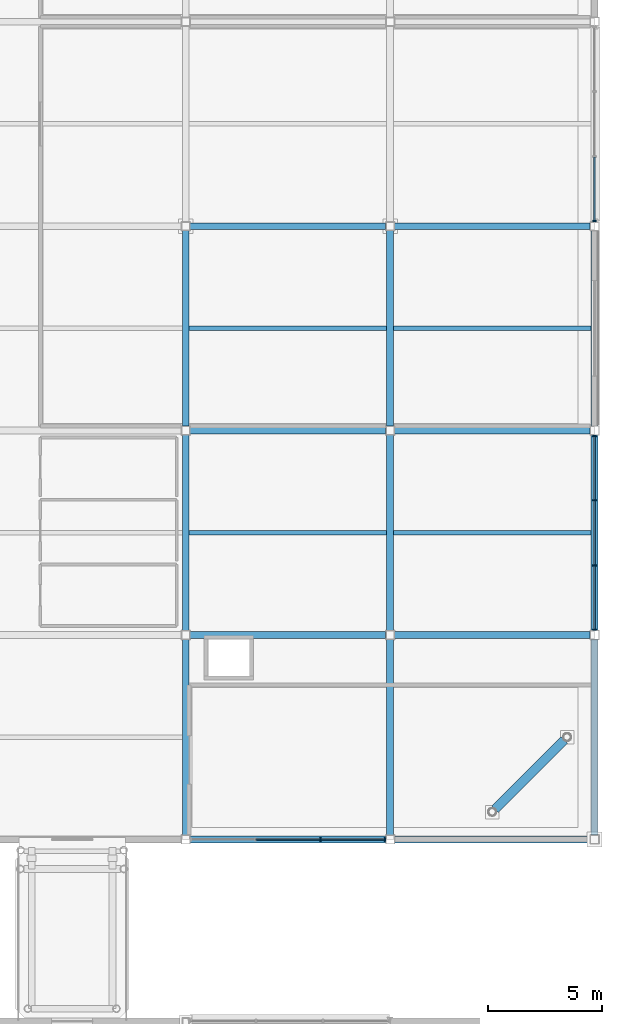
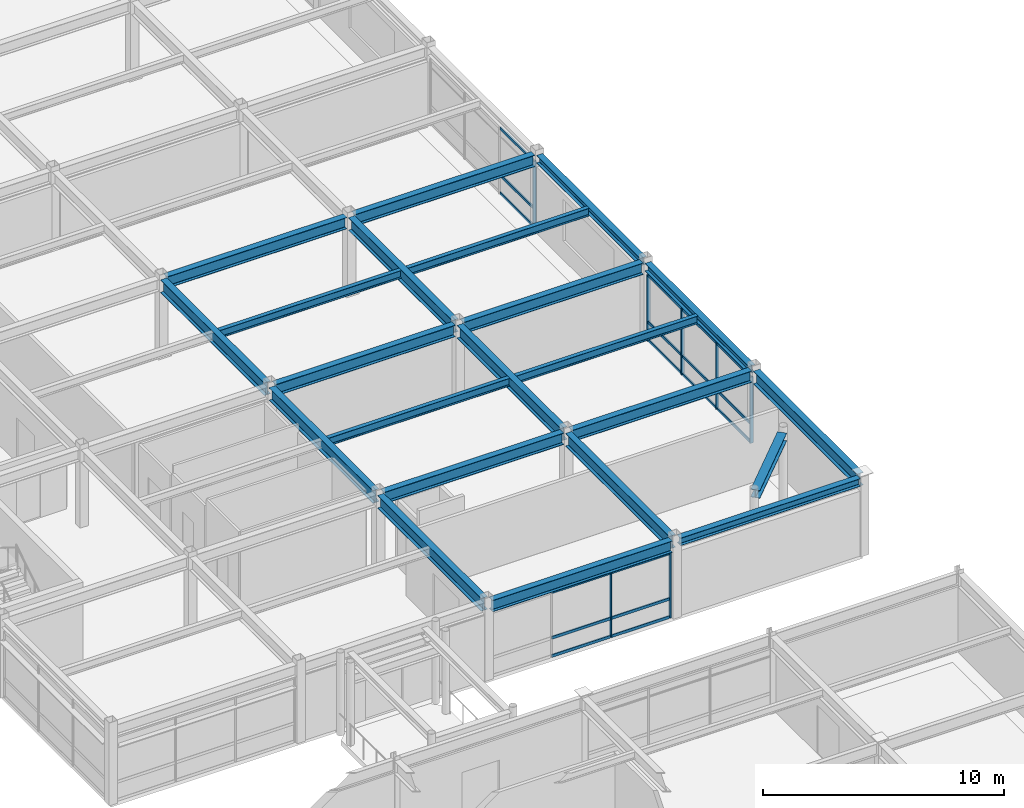
# One storey, part 37 of 70: 25 members, 22 beams, 3 elements without a shape of their own.
"""IFC4 building model written with IfcOpenShell, lengths in metres."""

import ifcopenshell
import ifcopenshell.guid

model = None  # the IFC model being written
_history = None  # IfcOwnerHistory: only IFC2X3 demands one
_inside = {}  # id of a spatial element -> (the spatial element, [elements in it])
_under = {}  # id of a project, library or spatial element -> (it, [spatial elements below it])
_declared = {}  # id of a project -> (the project, [libraries it declares])
_typed = {}  # id of a type object -> (the type object, [elements of that type])
_made_of = {}  # id of a material, layer set ... -> (it, [elements and type objects made of it])


def new_model(schema):
    """Start an empty IFC model of exactly this schema.

    Asked for "IFC4X3", IfcOpenShell would pick the latest addendum, in which some entities
    have other attributes; the version numbers below select the first issue.
    IFC2X3 requires an IfcOwnerHistory on every rooted entity: one is made here for all.
    """
    global model, _history
    if schema == "IFC4X3":
        model = ifcopenshell.file(schema_version=(4, 3, 0, 0))
    else:
        model = ifcopenshell.file(schema=schema)
    _inside.clear()
    _under.clear()
    _declared.clear()
    _typed.clear()
    _made_of.clear()
    _history = None
    if model.schema == "IFC2X3":
        org = make("IfcOrganization", Name="unknown")
        user = make(
            "IfcPersonAndOrganization",
            ThePerson=make("IfcPerson", FamilyName="unknown"),
            TheOrganization=org,
        )
        app = make(
            "IfcApplication",
            ApplicationDeveloper=org,
            Version="unknown",
            ApplicationFullName="unknown",
            ApplicationIdentifier="unknown",
        )
        _history = make(
            "IfcOwnerHistory",
            OwningUser=user,
            OwningApplication=app,
            ChangeAction="ADDED",
            CreationDate=0,
        )
    return model


def make(cls, **values):
    """One entity of the class cls with the attributes given. An attribute that is None is left unset."""
    return model.create_entity(
        cls, **{name: value for name, value in values.items() if value is not None}
    )


def rooted(cls, **values):
    """An entity with a GlobalId (a new one), such as an element, a storey or a relation."""
    return make(cls, GlobalId=ifcopenshell.guid.new(), OwnerHistory=_history, **values)


def si_unit(unit_type, name, prefix=None):
    """IfcSIUnit, for example si_unit("LENGTHUNIT", "METRE", prefix="MILLI")."""
    return make("IfcSIUnit", UnitType=unit_type, Prefix=prefix, Name=name)


def assignment(units):
    """IfcUnitAssignment: the units of a project."""
    return None if units is None else make("IfcUnitAssignment", Units=units)


def point(xyz):
    """IfcCartesianPoint."""
    return None if xyz is None else make("IfcCartesianPoint", Coordinates=xyz)


def direction(xyz):
    """IfcDirection."""
    return None if xyz is None else make("IfcDirection", DirectionRatios=xyz)


def frame(location, z_axis=None, x_axis=None):
    """IfcAxis2Placement3D, a coordinate frame: its origin and axes. An axis left out is left unset."""
    return make(
        "IfcAxis2Placement3D",
        Location=point(location),
        Axis=direction(z_axis),
        RefDirection=direction(x_axis),
    )


def frame_2d(location, x_axis=None):
    """IfcAxis2Placement2D, a coordinate frame in the plane: its origin and x axis."""
    return make(
        "IfcAxis2Placement2D", Location=point(location), RefDirection=direction(x_axis)
    )


def origin():
    """The frame at (0, 0, 0) with its axes left unset."""
    return frame((0.0, 0.0, 0.0))


def origin_2d():
    """The frame at (0, 0) in the plane with its x axis left unset."""
    return frame_2d((0.0, 0.0))


def place(relative_to, where):
    """IfcLocalPlacement: puts the frame where relative to a parent placement (None: the world)."""
    return make(
        "IfcLocalPlacement", PlacementRelTo=relative_to, RelativePlacement=where
    )


def context(
    kind, dimensions, precision=None, world=None, true_north=None, identifier=None
):
    """IfcGeometricRepresentationContext, for example the 3D "Model" context."""
    return make(
        "IfcGeometricRepresentationContext",
        ContextIdentifier=identifier,
        ContextType=kind,
        CoordinateSpaceDimension=dimensions,
        Precision=precision,
        WorldCoordinateSystem=world,
        TrueNorth=true_north,
    )


def subcontext(parent, identifier, kind, view, scale=None):
    """IfcGeometricRepresentationSubContext, for example "Body" below "Model"."""
    return make(
        "IfcGeometricRepresentationSubContext",
        ContextIdentifier=identifier,
        ContextType=kind,
        ParentContext=parent,
        TargetScale=scale,
        TargetView=view,
    )


def project(units=None, contexts=None):
    """IfcProject with its units and contexts."""
    return rooted(
        "IfcProject",
        Name="project",
        RepresentationContexts=contexts,
        UnitsInContext=assignment(units),
    )


def spatial(cls, under=None, at=None, **own):
    """A site, building, storey or space (cls), placed at a placement, below another one or the project."""
    s = rooted(cls, ObjectPlacement=at, **own)
    if under is not None:
        _under.setdefault(under.id(), (under, []))[1].append(s)
    return s


def profile(cls, at=None, kind="AREA", **sizes):
    """A parametric profile (cls). Its sizes go by their IFC names, for example OverallWidth=200.0."""
    return make(cls, ProfileType=kind, Position=at, **sizes)


def rectangle(**sizes):
    """IfcRectangleProfileDef."""
    return profile("IfcRectangleProfileDef", **sizes)


def i_section(**sizes):
    """IfcIShapeProfileDef."""
    return profile("IfcIShapeProfileDef", **sizes)


def extrude(swept, where, along, depth):
    """IfcExtrudedAreaSolid: the profile swept, set in the frame where, extruded along a direction by depth."""
    return make(
        "IfcExtrudedAreaSolid",
        SweptArea=swept,
        Position=where,
        ExtrudedDirection=direction(along),
        Depth=depth,
    )


def shape(context_of_items, identifier, shape_type, items):
    """IfcShapeRepresentation: the items that make up one representation, for example the "Body"."""
    return make(
        "IfcShapeRepresentation",
        ContextOfItems=context_of_items,
        RepresentationIdentifier=identifier,
        RepresentationType=shape_type,
        Items=items,
    )


def material(Name=None, Category=None):
    """IfcMaterial."""
    return make("IfcMaterial", Name=Name, Category=Category)


def material_profile(
    of_material, cross_section, Name=None, Category=None, Priority=None
):
    """IfcMaterialProfile: a cross section and its material."""
    return make(
        "IfcMaterialProfile",
        Name=Name,
        Material=of_material,
        Profile=cross_section,
        Priority=Priority,
        Category=Category,
    )


def profile_set(profiles, Name=None, composite=None):
    """IfcMaterialProfileSet."""
    return make(
        "IfcMaterialProfileSet",
        Name=Name,
        MaterialProfiles=profiles,
        CompositeProfile=composite,
    )


def made_of(thing, what):
    """Note that an element or type object is made of a material, layer set ...; save() writes the relation."""
    if what is not None:
        _made_of.setdefault(what.id(), (what, []))[1].append(thing)
    return thing


def type_object(cls, material=None, **own):
    """A type object (cls), such as IfcWallType, which elements share."""
    return made_of(rooted(cls, **own), material)


def element(
    cls,
    number,
    at=None,
    inside=None,
    cuts=None,
    type_object=None,
    material=None,
    context=None,
    identifier="Body",
    shape_type=None,
    held_by="IfcProductDefinitionShape",
    body=None,
    shapes=None,
    **own,
):
    """One element of the class cls, such as IfcWall. Its Tag is "e" and its number.

    at: its placement. inside: the storey or other place that contains it. cuts: it is an
    opening in that element (IfcRelVoidsElement). A single representation is given by context,
    identifier, shape_type and body (its items); several are given by shapes. held_by: the class
    of the entity that holds the representations. save() writes the other relations.
    """
    e = rooted(cls, Tag="e%d" % number, ObjectPlacement=at, **own)
    if body is not None:
        shapes = [shape(context, identifier, shape_type, body)]
    if shapes is not None:
        e.Representation = make(held_by, Representations=shapes)
    if inside is not None:
        _inside.setdefault(inside.id(), (inside, []))[1].append(e)
    if cuts is not None:
        rooted(
            "IfcRelVoidsElement", RelatingBuildingElement=cuts, RelatedOpeningElement=e
        )
    if type_object is not None:
        _typed.setdefault(type_object.id(), (type_object, []))[1].append(e)
    return made_of(e, material)


def aggregate(whole, parts):
    """IfcRelAggregates: a whole, such as a stair, and the parts it consists of."""
    return rooted("IfcRelAggregates", RelatingObject=whole, RelatedObjects=parts)


def save(model, path):
    """Write the relations noted so far, then the file.

    IfcRelAggregates (storeys below a building ...), IfcRelContainedInSpatialStructure (elements
    in a storey), IfcRelDefinesByType, IfcRelAssociatesMaterial and IfcRelDeclares: one each for
    every whole, place, type object, material and project.
    """
    for whole, parts in _under.values():
        aggregate(whole, parts)
    for where, things in _inside.values():
        rooted(
            "IfcRelContainedInSpatialStructure",
            RelatedElements=things,
            RelatingStructure=where,
        )
    for kind, things in _typed.values():
        rooted("IfcRelDefinesByType", RelatedObjects=things, RelatingType=kind)
    for what, things in _made_of.values():
        rooted("IfcRelAssociatesMaterial", RelatedObjects=things, RelatingMaterial=what)
    for by, libraries in _declared.values():
        rooted("IfcRelDeclares", RelatingContext=by, RelatedDefinitions=libraries)
    model.write(path)


model = new_model("IFC4")

# Units and contexts
model_context = context("Model", 3, precision=1e-05, world=origin(), true_north=direction((0.0, 1.0)))
body_context = subcontext(model_context, "Body", "Model", "MODEL_VIEW")
ifc_project = project(units=[si_unit("LENGTHUNIT", "METRE"), si_unit("AREAUNIT", "SQUARE_METRE"), si_unit("VOLUMEUNIT", "CUBIC_METRE"), si_unit("PLANEANGLEUNIT", "RADIAN"), si_unit("MASSUNIT", "GRAM", prefix="KILO")], contexts=[model_context])

# Site, building, storey
site_placement = place(None, origin())
site = spatial("IfcSite", under=ifc_project, at=site_placement, CompositionType="ELEMENT")
building_placement = place(site_placement, origin())
building = spatial("IfcBuilding", under=site, at=building_placement, Name="Suzunagisa Mobility Hub", CompositionType="ELEMENT")
storey_placement = place(building_placement, frame((0.0, 0.0, 13.5)))
storey = spatial("IfcBuildingStorey", under=building, at=storey_placement, Name="L03", CompositionType="ELEMENT", Elevation=13.5)

# Curtain wall, members
ifc_material_1 = material(Name="Thermally Broken Anodized Aluminum and Low-E Glazing", Category="aluminium")
curtain_wall_type_1 = type_object("IfcCurtainWallType", Name="Unitised Curtain Wall CW-43 8500x3300", PredefinedType="USERDEFINED", material=ifc_material_1)
curtain_wall_1_placement = place(storey_placement, origin())
curtain_wall_1 = element("IfcCurtainWall", 1, at=curtain_wall_1_placement, inside=storey, type_object=curtain_wall_type_1, Name="L03 Unitised Curtain Wall CW-205", ObjectType="UNITISED CURTAIN WALL", PredefinedType="USERDEFINED")
ifc_material_2 = material(Name="Anodized Aluminum 6063-T6", Category="aluminium")
ifc_material_profile_1 = material_profile(ifc_material_2, rectangle(XDim=0.06494140625, YDim=0.139892578125, at=origin_2d()), Name="TRAN-65x140")
ifc_profile_set_1 = profile_set([ifc_material_profile_1], Name="Anodized Aluminum 6063-T6")
member_type_1 = type_object("IfcMemberType", Name="Curtain Wall Framing CM-01 TRAN-65x140", PredefinedType="USERDEFINED", material=ifc_profile_set_1)
member_1_placement = place(storey_placement, frame((165.0947265625, 44.0, 0.032470703125), z_axis=(1.0, 0.0, 0.0), x_axis=(0.0, 1.0, 0.0)))
member_1 = element("IfcMember", 2, at=member_1_placement, type_object=member_type_1, Name="Curtain Wall Transom 205-T2.1", ObjectType="TRANSOM", PredefinedType="USERDEFINED", context=body_context, shape_type="SweptSolid", body=[
    extrude(rectangle(XDim=0.06494140625, YDim=0.139892578125, at=origin_2d()), origin(), (0.0, 0.0, 1.0), 2.810546875),
])
member_2_placement = place(storey_placement, frame((165.0947265625, 44.0, 0.949951171875), z_axis=(1.0, 0.0, 0.0), x_axis=(0.0, 1.0, 0.0)))
member_2 = element("IfcMember", 3, at=member_2_placement, type_object=member_type_1, Name="Curtain Wall Transom 205-T2.2", ObjectType="TRANSOM", PredefinedType="USERDEFINED", context=body_context, shape_type="SweptSolid", body=[
    extrude(rectangle(XDim=0.06494140625, YDim=0.139892578125, at=origin_2d()), origin(), (0.0, 0.0, 1.0), 2.810546875),
])
member_3_placement = place(storey_placement, frame((165.0947265625, 44.0, 3.257568359375), z_axis=(1.0, 0.0, 0.0), x_axis=(0.0, 1.0, 0.0)))
member_3 = element("IfcMember", 4, at=member_3_placement, type_object=member_type_1, Name="Curtain Wall Transom 205-T2.3", ObjectType="TRANSOM", PredefinedType="USERDEFINED", context=body_context, shape_type="SweptSolid", body=[
    extrude(rectangle(XDim=0.06494140625, YDim=0.139892578125, at=origin_2d()), origin(), (0.0, 0.0, 1.0), 2.810546875),
])
member_4_placement = place(storey_placement, frame((167.961181640625, 44.0, 0.032470703125), z_axis=(1.0, 0.0, 0.0), x_axis=(0.0, 1.0, 0.0)))
member_4 = element("IfcMember", 5, at=member_4_placement, type_object=member_type_1, Name="Curtain Wall Transom 205-T3.1", ObjectType="TRANSOM", PredefinedType="USERDEFINED", context=body_context, shape_type="SweptSolid", body=[
    extrude(rectangle(XDim=0.06494140625, YDim=0.139892578125, at=origin_2d()), origin(), (0.0, 0.0, 1.0), 2.78076171875),
])
member_5_placement = place(storey_placement, frame((167.961181640625, 44.0, 0.949951171875), z_axis=(1.0, 0.0, 0.0), x_axis=(0.0, 1.0, 0.0)))
member_5 = element("IfcMember", 6, at=member_5_placement, type_object=member_type_1, Name="Curtain Wall Transom 205-T3.2", ObjectType="TRANSOM", PredefinedType="USERDEFINED", context=body_context, shape_type="SweptSolid", body=[
    extrude(rectangle(XDim=0.06494140625, YDim=0.139892578125, at=origin_2d()), origin(), (0.0, 0.0, 1.0), 2.78076171875),
])
member_6_placement = place(storey_placement, frame((167.961181640625, 44.0, 3.257568359375), z_axis=(1.0, 0.0, 0.0), x_axis=(0.0, 1.0, 0.0)))
member_6 = element("IfcMember", 7, at=member_6_placement, type_object=member_type_1, Name="Curtain Wall Transom 205-T3.3", ObjectType="TRANSOM", PredefinedType="USERDEFINED", context=body_context, shape_type="SweptSolid", body=[
    extrude(rectangle(XDim=0.06494140625, YDim=0.139892578125, at=origin_2d()), origin(), (0.0, 0.0, 1.0), 2.78076171875),
])

curtain_wall_type_2 = type_object("IfcCurtainWallType", Name="Unitised Curtain Wall CW-29 8500x3400", PredefinedType="USERDEFINED", material=ifc_material_1)
curtain_wall_2_placement = place(storey_placement, origin())
curtain_wall_2 = element("IfcCurtainWall", 8, at=curtain_wall_2_placement, inside=storey, type_object=curtain_wall_type_2, Name="L03 Unitised Curtain Wall CW-206", ObjectType="UNITISED CURTAIN WALL", PredefinedType="USERDEFINED")
member_7_placement = place(storey_placement, frame((180.0, 53.258056640625, 0.032470703125), z_axis=(0.0, 1.0, 0.0), x_axis=(-1.0, 0.0, 0.0)))
member_7 = element("IfcMember", 9, at=member_7_placement, type_object=member_type_1, Name="Curtain Wall Transom 206-T1.1", ObjectType="TRANSOM", PredefinedType="USERDEFINED", context=body_context, shape_type="SweptSolid", body=[
    extrude(rectangle(XDim=0.06494140625, YDim=0.139892578125, at=origin_2d()), origin(), (0.0, 0.0, 1.0), 2.78076171875),
])
member_8_placement = place(storey_placement, frame((180.0, 53.258056640625, 0.949951171875), z_axis=(0.0, 1.0, 0.0), x_axis=(-1.0, 0.0, 0.0)))
member_8 = element("IfcMember", 10, at=member_8_placement, type_object=member_type_1, Name="Curtain Wall Transom 206-T1.2", ObjectType="TRANSOM", PredefinedType="USERDEFINED", context=body_context, shape_type="SweptSolid", body=[
    extrude(rectangle(XDim=0.06494140625, YDim=0.139892578125, at=origin_2d()), origin(), (0.0, 0.0, 1.0), 2.78076171875),
])
member_9_placement = place(storey_placement, frame((180.0, 53.258056640625, 3.319580078125), z_axis=(0.0, 1.0, 0.0), x_axis=(-1.0, 0.0, 0.0)))
member_9 = element("IfcMember", 11, at=member_9_placement, type_object=member_type_1, Name="Curtain Wall Transom 206-T1.3", ObjectType="TRANSOM", PredefinedType="USERDEFINED", context=body_context, shape_type="SweptSolid", body=[
    extrude(rectangle(XDim=0.06494140625, YDim=0.139892578125, at=origin_2d()), origin(), (0.0, 0.0, 1.0), 2.78076171875),
])
member_10_placement = place(storey_placement, frame((180.0, 56.0947265625, 0.032470703125), z_axis=(0.0, 1.0, 0.0), x_axis=(-1.0, 0.0, 0.0)))
member_10 = element("IfcMember", 12, at=member_10_placement, type_object=member_type_1, Name="Curtain Wall Transom 206-T2.1", ObjectType="TRANSOM", PredefinedType="USERDEFINED", context=body_context, shape_type="SweptSolid", body=[
    extrude(rectangle(XDim=0.06494140625, YDim=0.139892578125, at=origin_2d()), origin(), (0.0, 0.0, 1.0), 2.810546875),
])
member_11_placement = place(storey_placement, frame((180.0, 56.0947265625, 0.949951171875), z_axis=(0.0, 1.0, 0.0), x_axis=(-1.0, 0.0, 0.0)))
member_11 = element("IfcMember", 13, at=member_11_placement, type_object=member_type_1, Name="Curtain Wall Transom 206-T2.2", ObjectType="TRANSOM", PredefinedType="USERDEFINED", context=body_context, shape_type="SweptSolid", body=[
    extrude(rectangle(XDim=0.06494140625, YDim=0.139892578125, at=origin_2d()), origin(), (0.0, 0.0, 1.0), 2.810546875),
])
member_12_placement = place(storey_placement, frame((180.0, 56.0947265625, 3.319580078125), z_axis=(0.0, 1.0, 0.0), x_axis=(-1.0, 0.0, 0.0)))
member_12 = element("IfcMember", 14, at=member_12_placement, type_object=member_type_1, Name="Curtain Wall Transom 206-T2.3", ObjectType="TRANSOM", PredefinedType="USERDEFINED", context=body_context, shape_type="SweptSolid", body=[
    extrude(rectangle(XDim=0.06494140625, YDim=0.139892578125, at=origin_2d()), origin(), (0.0, 0.0, 1.0), 2.810546875),
])
member_13_placement = place(storey_placement, frame((180.0, 58.961181640625, 0.032470703125), z_axis=(0.0, 1.0, 0.0), x_axis=(-1.0, 0.0, 0.0)))
member_13 = element("IfcMember", 15, at=member_13_placement, type_object=member_type_1, Name="Curtain Wall Transom 206-T3.1", ObjectType="TRANSOM", PredefinedType="USERDEFINED", context=body_context, shape_type="SweptSolid", body=[
    extrude(rectangle(XDim=0.06494140625, YDim=0.139892578125, at=origin_2d()), origin(), (0.0, 0.0, 1.0), 2.78076171875),
])
member_14_placement = place(storey_placement, frame((180.0, 58.961181640625, 0.949951171875), z_axis=(0.0, 1.0, 0.0), x_axis=(-1.0, 0.0, 0.0)))
member_14 = element("IfcMember", 16, at=member_14_placement, type_object=member_type_1, Name="Curtain Wall Transom 206-T3.2", ObjectType="TRANSOM", PredefinedType="USERDEFINED", context=body_context, shape_type="SweptSolid", body=[
    extrude(rectangle(XDim=0.06494140625, YDim=0.139892578125, at=origin_2d()), origin(), (0.0, 0.0, 1.0), 2.78076171875),
])
member_15_placement = place(storey_placement, frame((180.0, 58.961181640625, 3.319580078125), z_axis=(0.0, 1.0, 0.0), x_axis=(-1.0, 0.0, 0.0)))
member_15 = element("IfcMember", 17, at=member_15_placement, type_object=member_type_1, Name="Curtain Wall Transom 206-T3.3", ObjectType="TRANSOM", PredefinedType="USERDEFINED", context=body_context, shape_type="SweptSolid", body=[
    extrude(rectangle(XDim=0.06494140625, YDim=0.139892578125, at=origin_2d()), origin(), (0.0, 0.0, 1.0), 2.78076171875),
])

curtain_wall_3_placement = place(storey_placement, origin())
curtain_wall_3 = element("IfcCurtainWall", 18, at=curtain_wall_3_placement, inside=storey, type_object=curtain_wall_type_2, Name="L03 Unitised Curtain Wall CW-207", ObjectType="UNITISED CURTAIN WALL", PredefinedType="USERDEFINED")
member_16_placement = place(storey_placement, frame((180.0, 71.258056640625, 0.032470703125), z_axis=(0.0, 1.0, 0.0), x_axis=(-1.0, 0.0, 0.0)))
member_16 = element("IfcMember", 19, at=member_16_placement, type_object=member_type_1, Name="Curtain Wall Transom 207-T1.1", ObjectType="TRANSOM", PredefinedType="USERDEFINED", context=body_context, shape_type="SweptSolid", body=[
    extrude(rectangle(XDim=0.06494140625, YDim=0.139892578125, at=origin_2d()), origin(), (0.0, 0.0, 1.0), 2.78076171875),
])
member_17_placement = place(storey_placement, frame((180.0, 71.258056640625, 0.949951171875), z_axis=(0.0, 1.0, 0.0), x_axis=(-1.0, 0.0, 0.0)))
member_17 = element("IfcMember", 20, at=member_17_placement, type_object=member_type_1, Name="Curtain Wall Transom 207-T1.2", ObjectType="TRANSOM", PredefinedType="USERDEFINED", context=body_context, shape_type="SweptSolid", body=[
    extrude(rectangle(XDim=0.06494140625, YDim=0.139892578125, at=origin_2d()), origin(), (0.0, 0.0, 1.0), 2.78076171875),
])
member_18_placement = place(storey_placement, frame((180.0, 71.258056640625, 3.32958984375), z_axis=(0.0, 1.0, 0.0), x_axis=(-1.0, 0.0, 0.0)))
member_18 = element("IfcMember", 21, at=member_18_placement, type_object=member_type_1, Name="Curtain Wall Transom 207-T1.3", ObjectType="TRANSOM", PredefinedType="USERDEFINED", context=body_context, shape_type="SweptSolid", body=[
    extrude(rectangle(XDim=0.06494140625, YDim=0.139892578125, at=origin_2d()), origin(), (0.0, 0.0, 1.0), 2.78076171875),
])

# Member
ifc_material_profile_2 = material_profile(ifc_material_2, rectangle(XDim=0.06005859375, YDim=0.14990234375, at=origin_2d()), Name="MULL-60x150")
ifc_profile_set_2 = profile_set([ifc_material_profile_2], Name="Anodized Aluminum 6063-T6")
member_type_2 = type_object("IfcMemberType", Name="Curtain Wall Framing CM-03 MULL-60x150", PredefinedType="MULLION", material=ifc_profile_set_2)
member_19_placement = place(storey_placement, frame((167.933349609375, 44.0, 0.0), z_axis=(0.0, 0.0, 1.0), x_axis=(1.0, 0.0, 0.0)))
member_19 = element("IfcMember", 22, at=member_19_placement, type_object=member_type_2, Name="Curtain Wall Mullion 205-M3", PredefinedType="MULLION", context=body_context, shape_type="SweptSolid", body=[
    extrude(rectangle(XDim=0.06005859375, YDim=0.14990234375, at=origin_2d()), origin(), (0.0, 0.0, 1.0), 3.2900390625),
])

member_20_placement = place(storey_placement, frame((170.77001953125, 44.0, 0.0), z_axis=(0.0, 0.0, 1.0), x_axis=(1.0, 0.0, 0.0)))
member_20 = element("IfcMember", 23, at=member_20_placement, type_object=member_type_2, Name="Curtain Wall Mullion 205-M4", PredefinedType="MULLION", context=body_context, shape_type="SweptSolid", body=[
    extrude(rectangle(XDim=0.06005859375, YDim=0.14990234375, at=origin_2d()), origin(), (0.0, 0.0, 1.0), 3.2900390625),
])

aggregate(curtain_wall_1, [member_19, member_20, member_1, member_2, member_3, member_4, member_5, member_6])

member_21_placement = place(storey_placement, frame((180.0, 53.22998046875, 0.0), z_axis=(0.0, 0.0, 1.0), x_axis=(0.0, 1.0, 0.0)))
member_21 = element("IfcMember", 24, at=member_21_placement, type_object=member_type_2, Name="Curtain Wall Mullion 206-M1", PredefinedType="MULLION", context=body_context, shape_type="SweptSolid", body=[
    extrude(rectangle(XDim=0.06005859375, YDim=0.14990234375, at=origin_2d()), origin(), (0.0, 0.0, 1.0), 3.35205078125),
])

member_22_placement = place(storey_placement, frame((180.0, 56.066650390625, 0.0), z_axis=(0.0, 0.0, 1.0), x_axis=(0.0, 1.0, 0.0)))
member_22 = element("IfcMember", 25, at=member_22_placement, type_object=member_type_2, Name="Curtain Wall Mullion 206-M2", PredefinedType="MULLION", context=body_context, shape_type="SweptSolid", body=[
    extrude(rectangle(XDim=0.06005859375, YDim=0.14990234375, at=origin_2d()), origin(), (0.0, 0.0, 1.0), 3.35205078125),
])

member_23_placement = place(storey_placement, frame((180.0, 58.933349609375, 0.0), z_axis=(0.0, 0.0, 1.0), x_axis=(0.0, 1.0, 0.0)))
member_23 = element("IfcMember", 26, at=member_23_placement, type_object=member_type_2, Name="Curtain Wall Mullion 206-M3", PredefinedType="MULLION", context=body_context, shape_type="SweptSolid", body=[
    extrude(rectangle(XDim=0.06005859375, YDim=0.14990234375, at=origin_2d()), origin(), (0.0, 0.0, 1.0), 3.35205078125),
])

member_24_placement = place(storey_placement, frame((180.0, 61.77001953125, 0.0), z_axis=(0.0, 0.0, 1.0), x_axis=(0.0, 1.0, 0.0)))
member_24 = element("IfcMember", 27, at=member_24_placement, type_object=member_type_2, Name="Curtain Wall Mullion 206-M4", PredefinedType="MULLION", context=body_context, shape_type="SweptSolid", body=[
    extrude(rectangle(XDim=0.06005859375, YDim=0.14990234375, at=origin_2d()), origin(), (0.0, 0.0, 1.0), 3.35205078125),
])

aggregate(curtain_wall_2, [member_21, member_22, member_23, member_24, member_7, member_8, member_9, member_10, member_11, member_12, member_13, member_14, member_15])

member_25_placement = place(storey_placement, frame((180.0, 71.22998046875, 0.0), z_axis=(0.0, 0.0, 1.0), x_axis=(0.0, 1.0, 0.0)))
member_25 = element("IfcMember", 28, at=member_25_placement, type_object=member_type_2, Name="Curtain Wall Mullion 207-M1", PredefinedType="MULLION", context=body_context, shape_type="SweptSolid", body=[
    extrude(rectangle(XDim=0.06005859375, YDim=0.14990234375, at=origin_2d()), origin(), (0.0, 0.0, 1.0), 3.362060546875),
])

aggregate(curtain_wall_3, [member_25, member_16, member_17, member_18])

# Beams
ifc_material_3 = material(Name="Steel SN490B", Category="steel")
ifc_material_profile_3 = material_profile(ifc_material_3, i_section(OverallWidth=0.300048828125, OverallDepth=0.64990234375, WebThickness=0.012939453125, FlangeThickness=0.02197265625, FilletRadius=0.01611328125, at=origin_2d()), Name="H-650x300x13x22")
ifc_profile_set_3 = profile_set([ifc_material_profile_3], Name="Steel SN490B")
beam_type_1 = type_object("IfcBeamType", Name="Steel Beam BM-10 H-650x300x13x22", PredefinedType="BEAM", material=ifc_profile_set_3)
for number, where, z_axis, x_axis, name in (
    (29, (162.0, 44.196044921875, 3.625), (0.0, 1.0, 0.0), (-1.0, 0.0, 0.0), "L03 Primary Girder GY-2001"),
    (30, (162.0, 53.196044921875, 3.625), (0.0, 1.0, 0.0), (-1.0, 0.0, 0.0), "L03 Primary Girder GY-2002"),
    (31, (162.0, 62.196044921875, 3.625), (0.0, 1.0, 0.0), (-1.0, 0.0, 0.0), "L03 Primary Girder GY-2003"),
    (32, (171.0, 44.196044921875, 3.614990234375), (0.0, 1.0, 0.0), (-1.0, 0.0, 0.0), "L03 Primary Girder GY-2007"),
    (33, (171.0, 53.196044921875, 3.625), (0.0, 1.0, 0.0), (-1.0, 0.0, 0.0), "L03 Primary Girder GY-2008"),
    (34, (171.0, 62.196044921875, 3.625), (0.0, 1.0, 0.0), (-1.0, 0.0, 0.0), "L03 Primary Girder GY-2009"),
    (35, (180.0, 44.196044921875, 3.614990234375), (0.0, 1.0, 0.0), (-1.0, 0.0, 0.0), "L03 Primary Girder GY-2039"),
):
    element("IfcBeam", number, at=place(storey_placement, frame(where, z_axis=z_axis, x_axis=x_axis)), inside=storey, type_object=beam_type_1, Name=name, PredefinedType="BEAM", context=body_context, shape_type="SweptSolid", body=[
        extrude(i_section(OverallWidth=0.300048828125, OverallDepth=0.64990234375, WebThickness=0.012939453125, FlangeThickness=0.02197265625, FilletRadius=0.01611328125, at=origin_2d()), origin(), (0.0, 0.0, 1.0), 8.60791015625),
    ])
ifc_material_profile_4 = material_profile(ifc_material_3, i_section(OverallWidth=0.39990234375, OverallDepth=0.39990234375, WebThickness=0.012939453125, FlangeThickness=0.02099609375, FilletRadius=0.01611328125, at=origin_2d()), Name="H-400x400x13x21")
ifc_profile_set_4 = profile_set([ifc_material_profile_4], Name="Steel SN490B")
beam_type_2 = type_object("IfcBeamType", Name="Steel Beam BM-12 H-400x400x13x21", PredefinedType="SPANDREL", material=ifc_profile_set_4)
beam_placement = place(storey_placement, frame((175.625732421875, 45.33154296875, 3.739990234375), z_axis=(0.707106781187, 0.707106781187, 0.0), x_axis=(-0.707106781187, 0.707106781187, 0.0)))
element("IfcBeam", 36, at=beam_placement, inside=storey, type_object=beam_type_2, Name="L03 Streamline Prow Spandrel 2018", PredefinedType="SPANDREL", context=body_context, shape_type="SweptSolid", body=[
    extrude(i_section(OverallWidth=0.39990234375, OverallDepth=0.39990234375, WebThickness=0.012939453125, FlangeThickness=0.02099609375, FilletRadius=0.01611328125, at=origin_2d()), origin(), (0.0, 0.0, 1.0), 4.302978515625),
])
ifc_material_profile_5 = material_profile(ifc_material_3, i_section(OverallWidth=0.300048828125, OverallDepth=0.389892578125, WebThickness=0.010009765625, FlangeThickness=0.01611328125, FilletRadius=0.012939453125, at=origin_2d()), Name="H-390x300x10x16")
ifc_profile_set_5 = profile_set([ifc_material_profile_5], Name="Steel SN490B")
beam_type_3 = type_object("IfcBeamType", Name="Steel Beam BM-13 H-390x300x10x16", PredefinedType="SPANDREL", material=ifc_profile_set_5)
for number, where, z_axis, x_axis, name in (
    (37, (180.0, 53.196044921875, 3.7451171875), (0.0, 1.0, 0.0), (-1.0, 0.0, 0.0), "L03 Primary Girder GY-2013"),
    (38, (180.0, 62.196044921875, 3.7548828125), (0.0, 1.0, 0.0), (-1.0, 0.0, 0.0), "L03 Primary Girder GY-2014"),
    (39, (171.196044921875, 44.0, 3.7451171875), (1.0, 0.0, 0.0), (0.0, 1.0, 0.0), "L03 Primary Girder GX-2038"),
):
    element("IfcBeam", number, at=place(storey_placement, frame(where, z_axis=z_axis, x_axis=x_axis)), inside=storey, type_object=beam_type_3, Name=name, PredefinedType="SPANDREL", context=body_context, shape_type="SweptSolid", body=[
        extrude(i_section(OverallWidth=0.300048828125, OverallDepth=0.389892578125, WebThickness=0.010009765625, FlangeThickness=0.01611328125, FilletRadius=0.012939453125, at=origin_2d()), origin(), (0.0, 0.0, 1.0), 8.60791015625),
    ])
ifc_material_4 = material(Name="Steel SN400B", Category="steel")
ifc_material_profile_6 = material_profile(ifc_material_4, i_section(OverallWidth=0.199951171875, OverallDepth=0.39990234375, WebThickness=0.008056640625, FlangeThickness=0.012939453125, FilletRadius=0.012939453125, at=origin_2d()), Name="H-400x200x8x13")
ifc_profile_set_6 = profile_set([ifc_material_profile_6], Name="Steel SN400B")
beam_type_4 = type_object("IfcBeamType", Name="Steel Beam BM-14 H-400x200x8x13", PredefinedType="JOIST", material=ifc_profile_set_6)
for number, where, z_axis, x_axis, name in (
    (40, (162.14990234375, 57.5, 3.75), (1.0, 0.0, 0.0), (0.0, 1.0, 0.0), "L03 Composite Floor Joist J-2028"),
    (41, (162.14990234375, 66.5, 3.75), (1.0, 0.0, 0.0), (0.0, 1.0, 0.0), "L03 Composite Floor Joist J-2029"),
    (42, (171.14990234375, 57.5, 3.75), (1.0, 0.0, 0.0), (0.0, 1.0, 0.0), "L03 Composite Floor Joist J-2033"),
    (43, (171.14990234375, 66.5, 3.75), (1.0, 0.0, 0.0), (0.0, 1.0, 0.0), "L03 Composite Floor Joist J-2034"),
):
    element("IfcBeam", number, at=place(storey_placement, frame(where, z_axis=z_axis, x_axis=x_axis)), inside=storey, type_object=beam_type_4, Name=name, PredefinedType="JOIST", context=body_context, shape_type="SweptSolid", body=[
        extrude(i_section(OverallWidth=0.199951171875, OverallDepth=0.39990234375, WebThickness=0.008056640625, FlangeThickness=0.012939453125, FilletRadius=0.012939453125, at=origin_2d()), origin(), (0.0, 0.0, 1.0), 8.7001953125),
    ])
ifc_material_profile_7 = material_profile(ifc_material_3, i_section(OverallWidth=0.300048828125, OverallDepth=0.587890625, WebThickness=0.011962890625, FlangeThickness=0.02001953125, FilletRadius=0.012939453125, at=origin_2d()), Name="H-588x300x12x20")
ifc_profile_set_7 = profile_set([ifc_material_profile_7], Name="Steel SN490B")
beam_type_5 = type_object("IfcBeamType", Name="Steel Beam BM-16 H-588x300x12x20", PredefinedType="BEAM", material=ifc_profile_set_7)
for number, where, z_axis, x_axis, name in (
    (44, (162.196044921875, 44.0, 3.64599609375), (1.0, 0.0, 0.0), (0.0, 1.0, 0.0), "L03 Primary Girder GX-1964"),
    (45, (162.196044921875, 53.0, 3.656005859375), (1.0, 0.0, 0.0), (0.0, 1.0, 0.0), "L03 Primary Girder GX-1967"),
    (46, (171.196044921875, 53.0, 3.64599609375), (1.0, 0.0, 0.0), (0.0, 1.0, 0.0), "L03 Primary Girder GX-1968"),
    (47, (162.196044921875, 62.0, 3.656005859375), (1.0, 0.0, 0.0), (0.0, 1.0, 0.0), "L03 Primary Girder GX-1971"),
    (48, (171.196044921875, 62.0, 3.656005859375), (1.0, 0.0, 0.0), (0.0, 1.0, 0.0), "L03 Primary Girder GX-1972"),
    (49, (162.196044921875, 71.0, 3.656005859375), (1.0, 0.0, 0.0), (0.0, 1.0, 0.0), "L03 Primary Girder GX-1975"),
    (50, (171.196044921875, 71.0, 3.656005859375), (1.0, 0.0, 0.0), (0.0, 1.0, 0.0), "L03 Primary Girder GX-1976"),
):
    element("IfcBeam", number, at=place(storey_placement, frame(where, z_axis=z_axis, x_axis=x_axis)), inside=storey, type_object=beam_type_5, Name=name, PredefinedType="BEAM", context=body_context, shape_type="SweptSolid", body=[
        extrude(i_section(OverallWidth=0.300048828125, OverallDepth=0.587890625, WebThickness=0.011962890625, FlangeThickness=0.02001953125, FilletRadius=0.012939453125, at=origin_2d()), origin(), (0.0, 0.0, 1.0), 8.60791015625),
    ])

save(model, "model.ifc")
